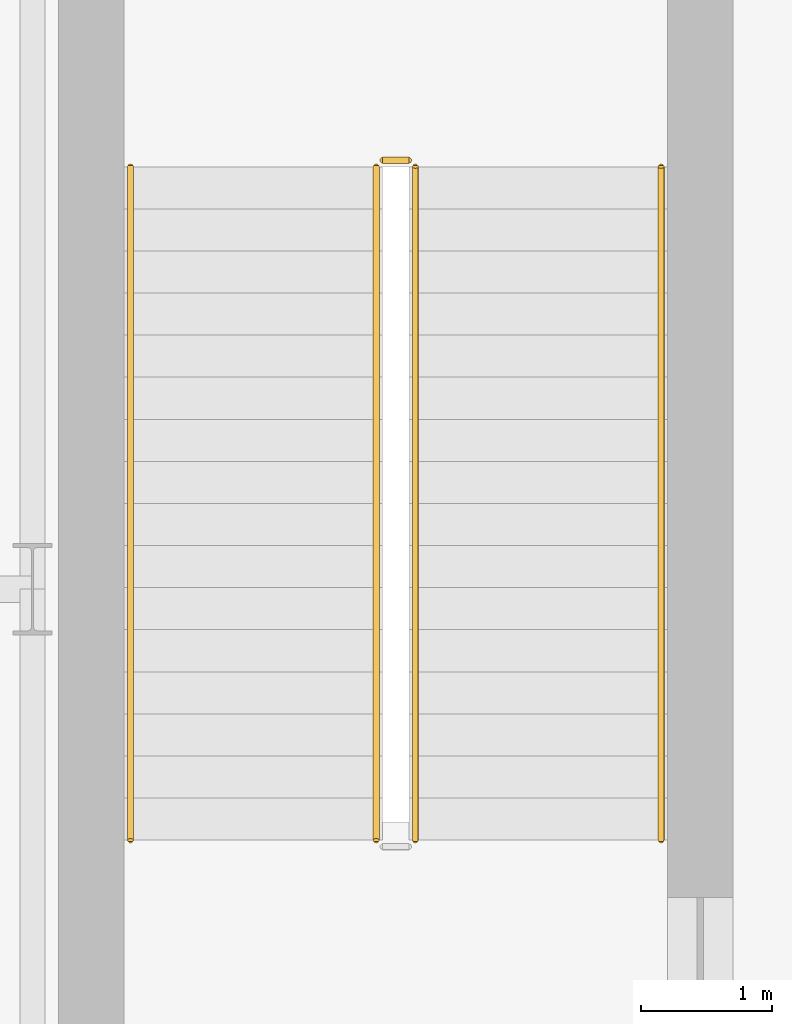
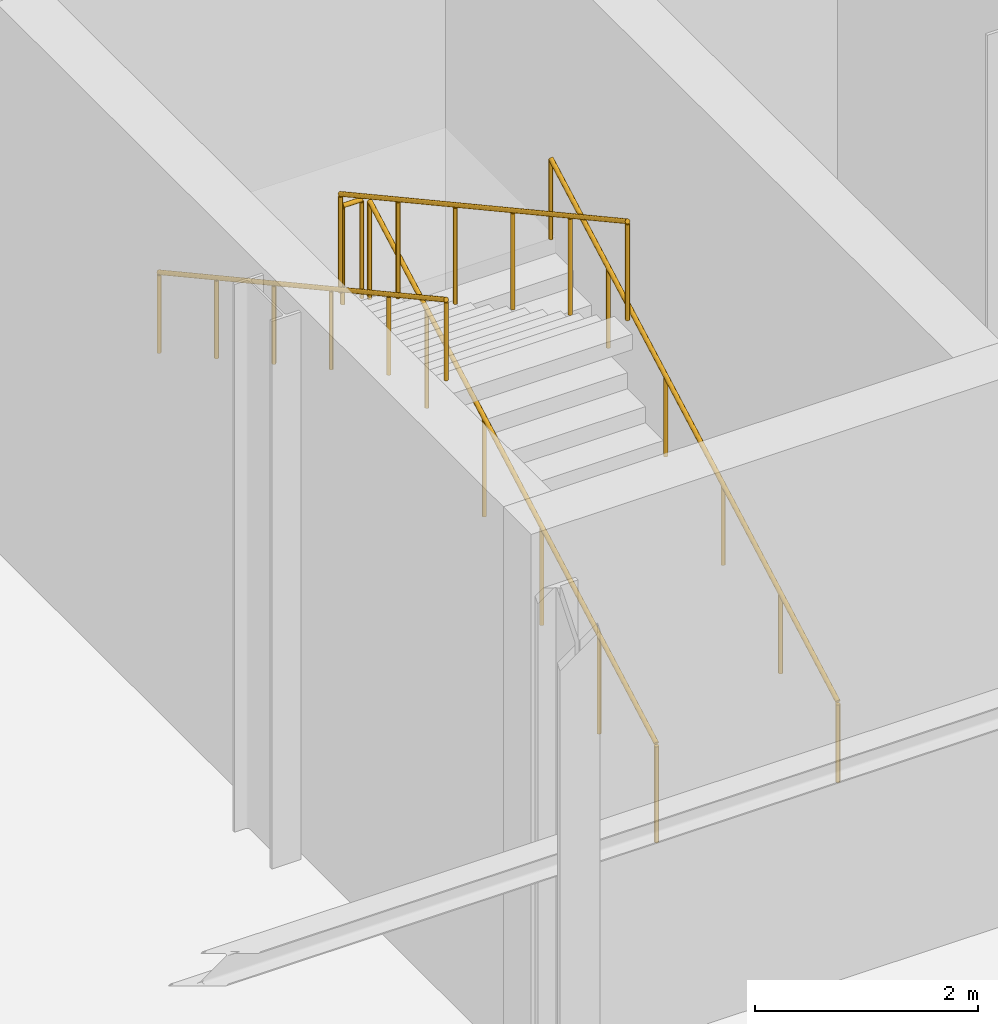
# One storey, part 78 of 84: 5 railings.
"""IFC4 building model written with IfcOpenShell, lengths in metres."""

from ifc_helpers import new_model, si_unit, direction, frame, origin, origin_2d, place, context, subcontext, project, spatial, circle, extrude, material, type_object, element, save


model = new_model("IFC4")

# Units and contexts
model_context = context("Model", 3, precision=1e-05, world=origin(), true_north=direction((0.0, 1.0)))
body_context = subcontext(model_context, "Body", "Model", "MODEL_VIEW")
ifc_project = project(units=[si_unit("LENGTHUNIT", "METRE"), si_unit("AREAUNIT", "SQUARE_METRE"), si_unit("VOLUMEUNIT", "CUBIC_METRE"), si_unit("PLANEANGLEUNIT", "RADIAN"), si_unit("MASSUNIT", "GRAM", prefix="KILO")], contexts=[model_context])

# Site, building, storey
site_placement = place(None, origin())
site = spatial("IfcSite", under=ifc_project, at=site_placement, CompositionType="ELEMENT")
building_placement = place(site_placement, origin())
building = spatial("IfcBuilding", under=site, at=building_placement, Name="Sefraquen Railside Congress Hotel", CompositionType="ELEMENT")
storey_placement = place(building_placement, origin())
storey = spatial("IfcBuildingStorey", under=building, at=storey_placement, Name="L00", CompositionType="ELEMENT", Elevation=0.0)

# Railings
ifc_material = material(Name="Patinated wrought architectural bronze", Category="metal")
railing_type_1 = type_object("IfcRailingType", Name="TRL-BAL-110", PredefinedType="BALUSTRADE", material=ifc_material)
railing_1_placement = place(storey_placement, frame((67.1298828125, 99.47998046875, 0.176513671875)))
element("IfcRailing", 1, at=railing_1_placement, inside=storey, type_object=railing_type_1, Name="L00 ST-H03 stair guard 1", PredefinedType="BALUSTRADE", context=body_context, shape_type="SweptSolid", body=[
    extrude(circle(Radius=0.02392578125, at=origin_2d()), frame((0.0, 0.0, 1.076171875), z_axis=(0.0, 0.876945751477, 0.480589376668), x_axis=(-1.0, 0.0, 0.0)), (0.0, 0.0, 1.0), 5.875),
    extrude(circle(Radius=0.02099609375, at=origin_2d()), origin(), (0.0, 0.0, 1.0), 1.052001953125),
    extrude(circle(Radius=0.02099609375, at=origin_2d()), frame((0.0, 1.030517578125, 0.564697265625)), (0.0, 0.0, 1.0), 1.052001953125),
    extrude(circle(Radius=0.02099609375, at=origin_2d()), frame((0.0, 2.060791015625, 1.12939453125)), (0.0, 0.0, 1.0), 1.052001953125),
    extrude(circle(Radius=0.02099609375, at=origin_2d()), frame((0.0, 3.09130859375, 1.694091796875)), (0.0, 0.0, 1.0), 1.052001953125),
    extrude(circle(Radius=0.02099609375, at=origin_2d()), frame((0.0, 4.12158203125, 2.2587890625)), (0.0, 0.0, 1.0), 1.052001953125),
    extrude(circle(Radius=0.02099609375, at=origin_2d()), frame((0.0, 5.152099609375, 2.823486328125)), (0.0, 0.0, 1.0), 1.052001953125),
])
railing_2_placement = place(storey_placement, frame((67.080078125, 104.681884765625, 3.0)))
element("IfcRailing", 2, at=railing_2_placement, inside=storey, type_object=railing_type_1, Name="L00 ST-H03 stair guard 2", PredefinedType="BALUSTRADE", context=body_context, shape_type="SweptSolid", body=[
    extrude(circle(Radius=0.02392578125, at=origin_2d()), frame((0.0, 0.0, 1.076171875), z_axis=(-1.0, 0.0, 0.0), x_axis=(0.0, -1.0, 0.0)), (0.0, 0.0, 1.0), 0.2001953125),
    extrude(circle(Radius=0.02099609375, at=origin_2d()), origin(), (0.0, 0.0, 1.0), 1.052001953125),
    extrude(circle(Radius=0.02099609375, at=origin_2d()), frame((-0.2001953125, 0.0, 0.0)), (0.0, 0.0, 1.0), 1.052001953125),
])
railing_3_placement = place(storey_placement, frame((66.830078125, 104.632080078125, 3.176513671875)))
element("IfcRailing", 3, at=railing_3_placement, inside=storey, type_object=railing_type_1, Name="L00 ST-H03 stair guard 3", PredefinedType="BALUSTRADE", context=body_context, shape_type="SweptSolid", body=[
    extrude(circle(Radius=0.02392578125, at=origin_2d()), frame((0.0, 0.0, 1.076171875), z_axis=(0.0, -0.876945751477, 0.480589376668), x_axis=(1.0, 0.0, 0.0)), (0.0, 0.0, 1.0), 5.875),
    extrude(circle(Radius=0.02099609375, at=origin_2d()), origin(), (0.0, 0.0, 1.0), 1.052001953125),
    extrude(circle(Radius=0.02099609375, at=origin_2d()), frame((0.0, -1.030517578125, 0.564697265625)), (0.0, 0.0, 1.0), 1.052001953125),
    extrude(circle(Radius=0.02099609375, at=origin_2d()), frame((0.0, -2.060791015625, 1.12939453125)), (0.0, 0.0, 1.0), 1.052001953125),
    extrude(circle(Radius=0.02099609375, at=origin_2d()), frame((0.0, -3.09130859375, 1.694091796875)), (0.0, 0.0, 1.0), 1.052001953125),
    extrude(circle(Radius=0.02099609375, at=origin_2d()), frame((0.0, -4.12158203125, 2.2587890625)), (0.0, 0.0, 1.0), 1.052001953125),
    extrude(circle(Radius=0.02099609375, at=origin_2d()), frame((0.0, -5.152099609375, 2.823486328125)), (0.0, 0.0, 1.0), 1.052001953125),
])
railing_type_2 = type_object("IfcRailingType", Name="TRL-HR-090", PredefinedType="HANDRAIL", material=ifc_material)
railing_4_placement = place(storey_placement, frame((69.010009765625, 99.47998046875, 0.176513671875)))
element("IfcRailing", 4, at=railing_4_placement, inside=storey, type_object=railing_type_2, Name="L00 ST-H03 stair handrail 1", PredefinedType="HANDRAIL", context=body_context, shape_type="SweptSolid", body=[
    extrude(circle(Radius=0.02392578125, at=origin_2d()), frame((0.0, 0.0, 0.8759765625), z_axis=(0.0, 0.876945751477, 0.480589376668), x_axis=(-1.0, 0.0, 0.0)), (0.0, 0.0, 1.0), 5.875),
    extrude(circle(Radius=0.02099609375, at=origin_2d()), origin(), (0.0, 0.0, 1.0), 0.851806640625),
    extrude(circle(Radius=0.02099609375, at=origin_2d()), frame((0.0, 1.030517578125, 0.564697265625)), (0.0, 0.0, 1.0), 0.851806640625),
    extrude(circle(Radius=0.02099609375, at=origin_2d()), frame((0.0, 2.060791015625, 1.12939453125)), (0.0, 0.0, 1.0), 0.851806640625),
    extrude(circle(Radius=0.02099609375, at=origin_2d()), frame((0.0, 3.09130859375, 1.694091796875)), (0.0, 0.0, 1.0), 0.851806640625),
    extrude(circle(Radius=0.02099609375, at=origin_2d()), frame((0.0, 4.12158203125, 2.2587890625)), (0.0, 0.0, 1.0), 0.851806640625),
    extrude(circle(Radius=0.02099609375, at=origin_2d()), frame((0.0, 5.152099609375, 2.823486328125)), (0.0, 0.0, 1.0), 0.851806640625),
])
railing_5_placement = place(storey_placement, frame((64.949951171875, 104.632080078125, 3.176513671875)))
element("IfcRailing", 5, at=railing_5_placement, inside=storey, type_object=railing_type_2, Name="L00 ST-H03 stair handrail 2", PredefinedType="HANDRAIL", context=body_context, shape_type="SweptSolid", body=[
    extrude(circle(Radius=0.02392578125, at=origin_2d()), frame((0.0, 0.0, 0.8759765625), z_axis=(0.0, -0.876945751477, 0.480589376668), x_axis=(1.0, 0.0, 0.0)), (0.0, 0.0, 1.0), 5.875),
    extrude(circle(Radius=0.02099609375, at=origin_2d()), origin(), (0.0, 0.0, 1.0), 0.851806640625),
    extrude(circle(Radius=0.02099609375, at=origin_2d()), frame((0.0, -1.030517578125, 0.564697265625)), (0.0, 0.0, 1.0), 0.851806640625),
    extrude(circle(Radius=0.02099609375, at=origin_2d()), frame((0.0, -2.060791015625, 1.12939453125)), (0.0, 0.0, 1.0), 0.851806640625),
    extrude(circle(Radius=0.02099609375, at=origin_2d()), frame((0.0, -3.09130859375, 1.694091796875)), (0.0, 0.0, 1.0), 0.851806640625),
    extrude(circle(Radius=0.02099609375, at=origin_2d()), frame((0.0, -4.12158203125, 2.2587890625)), (0.0, 0.0, 1.0), 0.851806640625),
    extrude(circle(Radius=0.02099609375, at=origin_2d()), frame((0.0, -5.152099609375, 2.823486328125)), (0.0, 0.0, 1.0), 0.851806640625),
])

save(model, "model.ifc")
